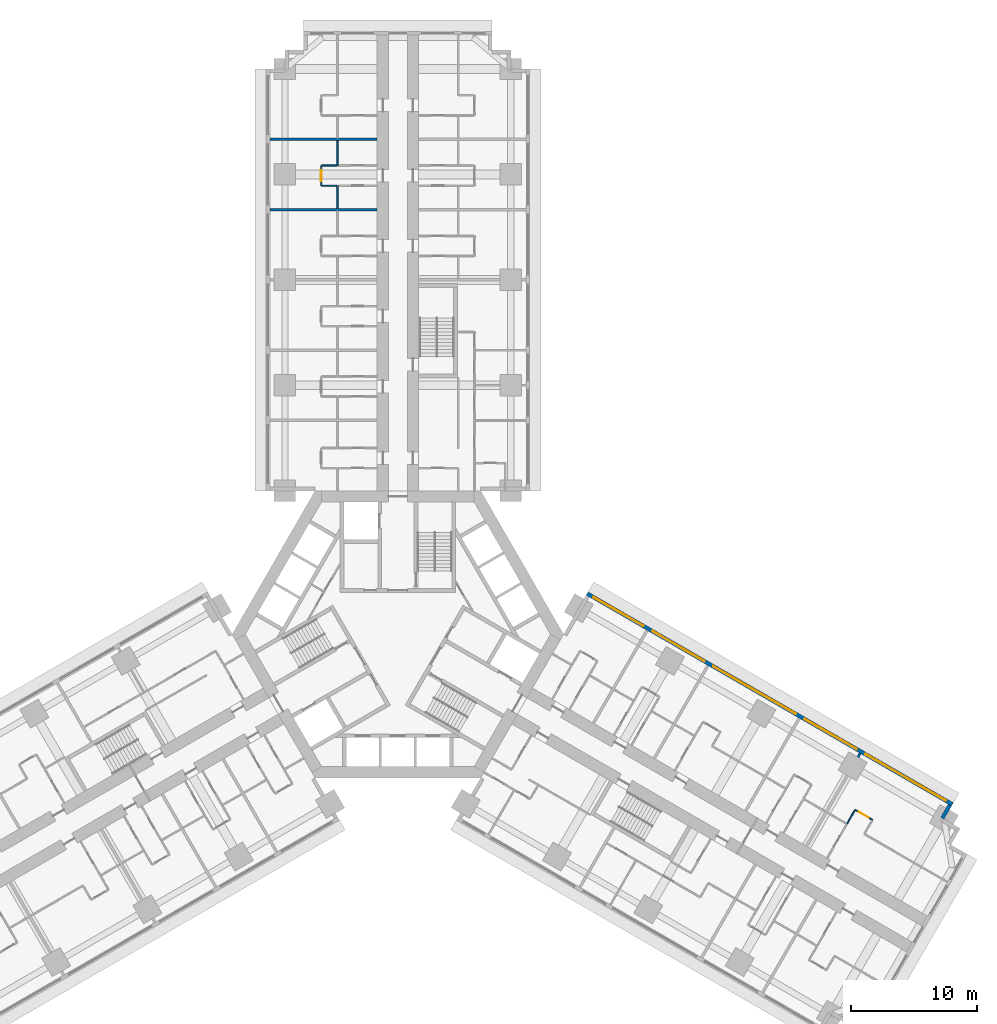
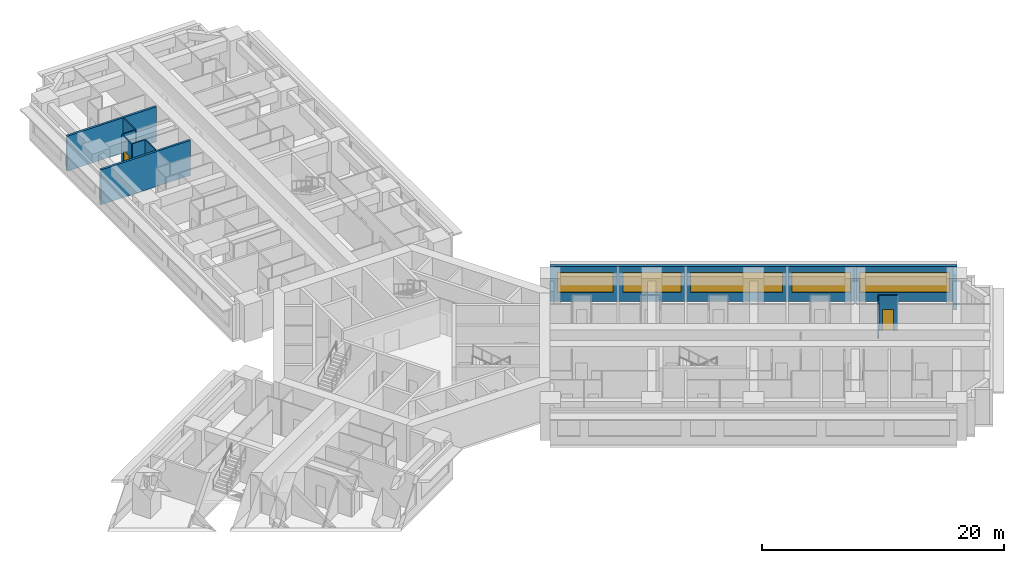
# One storey, part 14 of 17: 12 walls, 5 windows, 2 doors, 7 openings.
"""IFC4 building model written with IfcOpenShell, lengths in metres."""

from ifc_helpers import new_model, si_unit, direction, frame, frame_2d, origin, place, context, subcontext, project, spatial, rectangle, extrude, material, layer, layer_set, type_object, element, fill, save


model = new_model("IFC4")

# Units and contexts
model_context = context("Model", 3, precision=1e-05, world=origin(), true_north=direction((0.0, 1.0)))
body_context = subcontext(model_context, "Body", "Model", "MODEL_VIEW")
ifc_project = project(units=[si_unit("LENGTHUNIT", "METRE"), si_unit("AREAUNIT", "SQUARE_METRE"), si_unit("VOLUMEUNIT", "CUBIC_METRE"), si_unit("PLANEANGLEUNIT", "RADIAN"), si_unit("MASSUNIT", "GRAM", prefix="KILO")], contexts=[model_context])

# Site, building, storey
site_placement = place(None, origin())
site = spatial("IfcSite", under=ifc_project, at=site_placement, CompositionType="ELEMENT")
building_placement = place(site_placement, origin())
building = spatial("IfcBuilding", under=site, at=building_placement, Name="Impinga Residences", CompositionType="ELEMENT")
storey_placement = place(building_placement, frame((0.0, 0.0, 33.5)))
storey = spatial("IfcBuildingStorey", under=building, at=storey_placement, Name="L07", CompositionType="ELEMENT", Elevation=33.5)

# Wall, openings, windows
ifc_material_1 = material(Name="Terracotta rainscreen on blockwork", Category="masonry")
ifc_layer_1 = layer(ifc_material_1, 0.300048828125)
ifc_layer_set_1 = layer_set([ifc_layer_1], Name="EW1 external wall, terracotta rainscreen on blockwork 300")
wall_type_1 = type_object("IfcWallType", Name="EW1 external wall, terracotta rainscreen on blockwork 300", PredefinedType="SOLIDWALL", material=ifc_layer_set_1)
wall_1_placement = place(storey_placement, frame((15.074951171875, 3.24755859375, 0.0), z_axis=(0.0, 0.0, 1.0), x_axis=(0.866024291668, -0.500001926238, 0.0)))
wall_1 = element("IfcWall", 1, at=wall_1_placement, inside=storey, type_object=wall_type_1, Name="External wall EW1 L07", PredefinedType="SOLIDWALL", context=body_context, shape_type="SweptSolid", body=[
    extrude(rectangle(XDim=33.599853515625, YDim=0.300048828125, at=frame_2d((16.7998046875, 0.0))), origin(), (0.0, 0.0, 1.0), 3.530029296875),
])
opening_1_placement = place(wall_1_placement, frame((0.60009765625, 0.0, 0.89990234375)))
opening_1 = element("IfcOpeningElement", 2, at=opening_1_placement, cuts=wall_1, Name="Opening W3", PredefinedType="OPENING", context=body_context, shape_type="SweptSolid", body=[
    extrude(rectangle(XDim=4.60009765625, YDim=2.050048828125, at=frame_2d((2.300048828125, 1.02490234375))), frame((0.0, 0.159912109375, 0.0), z_axis=(0.0, -1.0, 0.0), x_axis=(1.0, 0.0, 0.0)), (0.0, 0.0, 1.0), 0.320068359375),
])
opening_2_placement = place(wall_1_placement, frame((6.0, 0.0, 0.89990234375)))
opening_2 = element("IfcOpeningElement", 3, at=opening_2_placement, cuts=wall_1, Name="Opening W8", PredefinedType="OPENING", context=body_context, shape_type="SweptSolid", body=[
    extrude(rectangle(XDim=4.800048828125, YDim=2.050048828125, at=frame_2d((2.39990234375, 1.02490234375))), frame((0.0, 0.159912109375, 0.0), z_axis=(0.0, -1.0, 0.0), x_axis=(1.0, 0.0, 0.0)), (0.0, 0.0, 1.0), 0.320068359375),
])
opening_3_placement = place(wall_1_placement, frame((11.60009765625, 0.0, 0.89990234375)))
opening_3 = element("IfcOpeningElement", 4, at=opening_3_placement, cuts=wall_1, Name="Opening W5", PredefinedType="OPENING", context=body_context, shape_type="SweptSolid", body=[
    extrude(rectangle(XDim=7.60009765625, YDim=2.050048828125, at=frame_2d((3.800048828125, 1.02490234375))), frame((0.0, 0.159912109375, 0.0), z_axis=(0.0, -1.0, 0.0), x_axis=(1.0, 0.0, 0.0)), (0.0, 0.0, 1.0), 0.320068359375),
])
opening_4_placement = place(wall_1_placement, frame((20.0, 0.0, 0.89990234375)))
opening_4 = element("IfcOpeningElement", 5, at=opening_4_placement, cuts=wall_1, Name="Opening W8", PredefinedType="OPENING", context=body_context, shape_type="SweptSolid", body=[
    extrude(rectangle(XDim=4.800048828125, YDim=2.050048828125, at=frame_2d((2.39990234375, 1.02490234375))), frame((0.0, 0.159912109375, 0.0), z_axis=(0.0, -1.0, 0.0), x_axis=(1.0, 0.0, 0.0)), (0.0, 0.0, 1.0), 0.320068359375),
])
opening_5_placement = place(wall_1_placement, frame((25.60009765625, 0.0, 0.89990234375)))
opening_5 = element("IfcOpeningElement", 6, at=opening_5_placement, cuts=wall_1, Name="Opening W12", PredefinedType="OPENING", context=body_context, shape_type="SweptSolid", body=[
    extrude(rectangle(XDim=7.39990234375, YDim=2.050048828125, at=frame_2d((3.699951171875, 1.02490234375))), frame((0.0, 0.159912109375, 0.0), z_axis=(0.0, -1.0, 0.0), x_axis=(1.0, 0.0, 0.0)), (0.0, 0.0, 1.0), 0.320068359375),
])
ifc_material_2 = material(Name="Aluminium window, clear double glazing", Category="aluminium")
window_type_1 = type_object("IfcWindowType", Name="W12 ribbon window 7400x2050", PartitioningType="SINGLE_PANEL", PredefinedType="WINDOW", material=ifc_material_2)
window_1_placement = place(opening_5_placement, origin())
window_1 = element("IfcWindow", 7, at=window_1_placement, inside=storey, type_object=window_type_1, Name="Window L07", OverallHeight=2.050048828125, OverallWidth=7.39990234375, PartitioningType="SINGLE_PANEL", PredefinedType="WINDOW", context=body_context, shape_type="SweptSolid", body=[
    extrude(rectangle(XDim=7.39990234375, YDim=2.050048828125, at=frame_2d((3.699951171875, 1.02490234375))), frame((0.0, 0.030029296875, 0.0), z_axis=(0.0, -1.0, 0.0), x_axis=(1.0, 0.0, 0.0)), (0.0, 0.0, 1.0), 0.06005859375),
])
fill(opening_5, window_1)
window_type_2 = type_object("IfcWindowType", Name="W3 ribbon window 4600x2050", PartitioningType="SINGLE_PANEL", PredefinedType="WINDOW", material=ifc_material_2)
window_2_placement = place(opening_1_placement, origin())
window_2 = element("IfcWindow", 8, at=window_2_placement, inside=storey, type_object=window_type_2, Name="Window L07", OverallHeight=2.050048828125, OverallWidth=4.60009765625, PartitioningType="SINGLE_PANEL", PredefinedType="WINDOW", context=body_context, shape_type="SweptSolid", body=[
    extrude(rectangle(XDim=4.60009765625, YDim=2.050048828125, at=frame_2d((2.300048828125, 1.02490234375))), frame((0.0, 0.030029296875, 0.0), z_axis=(0.0, -1.0, 0.0), x_axis=(1.0, 0.0, 0.0)), (0.0, 0.0, 1.0), 0.06005859375),
])
fill(opening_1, window_2)
window_type_3 = type_object("IfcWindowType", Name="W5 ribbon window 7600x2050", PartitioningType="SINGLE_PANEL", PredefinedType="WINDOW", material=ifc_material_2)
window_3_placement = place(opening_3_placement, origin())
window_3 = element("IfcWindow", 9, at=window_3_placement, inside=storey, type_object=window_type_3, Name="Window L07", OverallHeight=2.050048828125, OverallWidth=7.60009765625, PartitioningType="SINGLE_PANEL", PredefinedType="WINDOW", context=body_context, shape_type="SweptSolid", body=[
    extrude(rectangle(XDim=7.60009765625, YDim=2.050048828125, at=frame_2d((3.800048828125, 1.02490234375))), frame((0.0, 0.030029296875, 0.0), z_axis=(0.0, -1.0, 0.0), x_axis=(1.0, 0.0, 0.0)), (0.0, 0.0, 1.0), 0.06005859375),
])
fill(opening_3, window_3)
window_type_4 = type_object("IfcWindowType", Name="W8 ribbon window 4800x2050", PartitioningType="SINGLE_PANEL", PredefinedType="WINDOW", material=ifc_material_2)
window_4_placement = place(opening_2_placement, origin())
window_4 = element("IfcWindow", 10, at=window_4_placement, inside=storey, type_object=window_type_4, Name="Window L07", OverallHeight=2.050048828125, OverallWidth=4.800048828125, PartitioningType="SINGLE_PANEL", PredefinedType="WINDOW", context=body_context, shape_type="SweptSolid", body=[
    extrude(rectangle(XDim=4.800048828125, YDim=2.050048828125, at=frame_2d((2.39990234375, 1.02490234375))), frame((0.0, 0.030029296875, 0.0), z_axis=(0.0, -1.0, 0.0), x_axis=(1.0, 0.0, 0.0)), (0.0, 0.0, 1.0), 0.06005859375),
])
fill(opening_2, window_4)
window_5_placement = place(opening_4_placement, origin())
window_5 = element("IfcWindow", 11, at=window_5_placement, inside=storey, type_object=window_type_4, Name="Window L07", OverallHeight=2.050048828125, OverallWidth=4.800048828125, PartitioningType="SINGLE_PANEL", PredefinedType="WINDOW", context=body_context, shape_type="SweptSolid", body=[
    extrude(rectangle(XDim=4.800048828125, YDim=2.050048828125, at=frame_2d((2.39990234375, 1.02490234375))), frame((0.0, 0.030029296875, 0.0), z_axis=(0.0, -1.0, 0.0), x_axis=(1.0, 0.0, 0.0)), (0.0, 0.0, 1.0), 0.06005859375),
])
fill(opening_4, window_5)

# Walls
wall_2_placement = place(storey_placement, frame((43.968505859375, -13.607421875, 0.0), z_axis=(0.0, 0.0, 1.0), x_axis=(-0.500029051137, -0.866008630453, 0.0)))
element("IfcWall", 12, at=wall_2_placement, inside=storey, type_object=wall_type_1, Name="External wall EW1 L07", PredefinedType="SOLIDWALL", context=body_context, shape_type="SweptSolid", body=[
    extrude(rectangle(XDim=1.19482421875, YDim=0.300048828125, at=frame_2d((0.597412109375, 0.0))), origin(), (0.0, 0.0, 1.0), 3.530029296875),
])
ifc_material_3 = material(Name="Gypsum board on steel studs", Category="steel")
ifc_layer_2 = layer(ifc_material_3, 0.10009765625)
ifc_layer_set_2 = layer_set([ifc_layer_2], Name="Gypsum board on steel studs")
wall_type_2 = type_object("IfcWallType", Name="IP1 partition 100", PredefinedType="PARTITIONING", material=ifc_layer_set_2)
wall_3_placement = place(storey_placement, frame((-4.800048828125, 33.931640625, 0.0), z_axis=(0.0, 0.0, 1.0), x_axis=(0.0, 1.0, 0.0)))
element("IfcWall", 13, at=wall_3_placement, inside=storey, type_object=wall_type_2, Name="Partition L07-NA5:DIV0", PredefinedType="PARTITIONING", context=body_context, shape_type="SweptSolid", body=[
    extrude(rectangle(XDim=1.7998046875, YDim=0.10009765625, at=frame_2d((0.89990234375, 0.0))), origin(), (0.0, 0.0, 1.0), 3.530029296875),
])
wall_4_placement = place(storey_placement, frame((-4.800048828125, 37.33154296875, 0.0), z_axis=(0.0, 0.0, 1.0), x_axis=(0.0, 1.0, 0.0)))
element("IfcWall", 14, at=wall_4_placement, inside=storey, type_object=wall_type_2, Name="Partition L07-NA5:DIV1", PredefinedType="PARTITIONING", context=body_context, shape_type="SweptSolid", body=[
    extrude(rectangle(XDim=2.0, YDim=0.10009765625, at=frame_2d((1.0, 0.0))), origin(), (0.0, 0.0, 1.0), 3.530029296875),
])

# Wall, opening, door
wall_5_placement = place(storey_placement, frame((-6.10009765625, 35.7314453125, 0.0), z_axis=(0.0, 0.0, 1.0), x_axis=(0.0, 1.0, 0.0)))
wall_5 = element("IfcWall", 15, at=wall_5_placement, inside=storey, type_object=wall_type_2, Name="Partition L07-NA5:STRIP", PredefinedType="PARTITIONING", context=body_context, shape_type="SweptSolid", body=[
    extrude(rectangle(XDim=1.60009765625, YDim=0.10009765625, at=frame_2d((0.800048828125, 0.0))), origin(), (0.0, 0.0, 1.0), 3.530029296875),
])
opening_6_placement = place(wall_5_placement, frame((0.35009765625, 0.0, 0.0)))
opening_6 = element("IfcOpeningElement", 16, at=opening_6_placement, cuts=wall_5, Name="Opening D2", PredefinedType="OPENING", context=body_context, shape_type="SweptSolid", body=[
    extrude(rectangle(XDim=0.89990234375, YDim=2.10009765625, at=frame_2d((0.449951171875, 1.050048828125))), frame((0.0, 0.06005859375, 0.0), z_axis=(0.0, -1.0, 0.0), x_axis=(1.0, 0.0, 0.0)), (0.0, 0.0, 1.0), 0.1201171875),
])
ifc_material_4 = material(Name="Timber door set", Category="wood")
door_type = type_object("IfcDoorType", Name="D2 internal door 900x2100", OperationType="SINGLE_SWING_LEFT", PredefinedType="DOOR", material=ifc_material_4)
door_1_placement = place(opening_6_placement, origin())
door_1 = element("IfcDoor", 17, at=door_1_placement, inside=storey, type_object=door_type, Name="Apartment L07-NA5 room door", OperationType="SINGLE_SWING_LEFT", OverallHeight=2.10009765625, OverallWidth=0.89990234375, PredefinedType="DOOR", context=body_context, shape_type="SweptSolid", body=[
    extrude(rectangle(XDim=0.89990234375, YDim=2.10009765625, at=frame_2d((0.449951171875, 1.050048828125))), frame((0.0, 0.02490234375, 0.0), z_axis=(0.0, -1.0, 0.0), x_axis=(1.0, 0.0, 0.0)), (0.0, 0.0, 1.0), 0.050048828125),
])
fill(opening_6, door_1)

# Walls
for number, where, z_axis, x_axis, name in (
    (18, (-4.85009765625, 35.7314453125, 0.0), (0.0, 0.0, 1.0), (-1.0, 0.0, 0.0), "Partition L07-NA5:SE0"),
    (19, (-4.85009765625, 37.33154296875, 0.0), (0.0, 0.0, 1.0), (-1.0, 0.0, 0.0), "Partition L07-NA5:SE1"),
):
    element("IfcWall", number, at=place(storey_placement, frame(where, z_axis=z_axis, x_axis=x_axis)), inside=storey, type_object=wall_type_2, Name=name, PredefinedType="PARTITIONING", context=body_context, shape_type="SweptSolid", body=[
        extrude(rectangle(XDim=1.199951171875, YDim=0.10009765625, at=frame_2d((0.60009765625, 0.0))), origin(), (0.0, 0.0, 1.0), 3.530029296875),
    ])

# Wall, opening, door
wall_6_placement = place(storey_placement, frame((36.419189453125, -13.98291015625, 0.0), z_axis=(0.0, 0.0, 1.0), x_axis=(0.866028054938, -0.499995408039, 0.0)))
wall_6 = element("IfcWall", 20, at=wall_6_placement, inside=storey, type_object=wall_type_2, Name="Partition L07-EA5:STRIP", PredefinedType="PARTITIONING", context=body_context, shape_type="SweptSolid", body=[
    extrude(rectangle(XDim=1.60009765625, YDim=0.10009765625, at=frame_2d((0.800048828125, 0.0))), origin(), (0.0, 0.0, 1.0), 3.530029296875),
])
opening_7_placement = place(wall_6_placement, frame((0.35009765625, 0.0, 0.0)))
opening_7 = element("IfcOpeningElement", 21, at=opening_7_placement, cuts=wall_6, Name="Opening D2", PredefinedType="OPENING", context=body_context, shape_type="SweptSolid", body=[
    extrude(rectangle(XDim=0.89990234375, YDim=2.10009765625, at=frame_2d((0.449951171875, 1.050048828125))), frame((0.0, 0.06005859375, 0.0), z_axis=(0.0, -1.0, 0.0), x_axis=(1.0, 0.0, 0.0)), (0.0, 0.0, 1.0), 0.1201171875),
])
door_2_placement = place(opening_7_placement, origin())
door_2 = element("IfcDoor", 22, at=door_2_placement, inside=storey, type_object=door_type, Name="Apartment L07-EA5 room door", OperationType="SINGLE_SWING_LEFT", OverallHeight=2.10009765625, OverallWidth=0.89990234375, PredefinedType="DOOR", context=body_context, shape_type="SweptSolid", body=[
    extrude(rectangle(XDim=0.89990234375, YDim=2.10009765625, at=frame_2d((0.449951171875, 1.050048828125))), frame((0.0, 0.02490234375, 0.0), z_axis=(0.0, -1.0, 0.0), x_axis=(1.0, 0.0, 0.0)), (0.0, 0.0, 1.0), 0.050048828125),
])
fill(opening_7, door_2)

# Walls
wall_7_placement = place(storey_placement, frame((35.794189453125, -15.0654296875, 0.0), z_axis=(0.0, 0.0, 1.0), x_axis=(0.50012165622, 0.865955154139, 0.0)))
element("IfcWall", 23, at=wall_7_placement, inside=storey, type_object=wall_type_2, Name="Partition L07-EA5:SE0", PredefinedType="PARTITIONING", context=body_context, shape_type="SweptSolid", body=[
    extrude(rectangle(XDim=1.199951171875, YDim=0.10009765625, at=frame_2d((0.60009765625, 0.0))), origin(), (0.0, 0.0, 1.0), 3.530029296875),
])
ifc_material_5 = material(Name="Concrete blockwork", Category="masonry")
ifc_layer_3 = layer(ifc_material_5, 0.199951171875)
ifc_layer_set_3 = layer_set([ifc_layer_3], Name="PW1 party wall between apartments 200")
wall_type_3 = type_object("IfcWallType", Name="PW1 party wall between apartments 200", PredefinedType="SOLIDWALL", material=ifc_layer_set_3)
for number, where, z_axis, x_axis, name in (
    (24, (-1.64990234375, 33.83154296875, 0.0), (0.0, 0.0, 1.0), (-1.0, 0.0, 0.0), "Party wall between apartments L07-NA4:PARTY"),
    (25, (-1.64990234375, 39.431640625, 0.0), (0.0, 0.0, 1.0), (-1.0, 0.0, 0.0), "Party wall between apartments L07-NA5:PARTY"),
):
    element("IfcWall", number, at=place(storey_placement, frame(where, z_axis=z_axis, x_axis=x_axis)), inside=storey, type_object=wall_type_3, Name=name, PredefinedType="SOLIDWALL", context=body_context, shape_type="SweptSolid", body=[
        extrude(rectangle(XDim=8.550048828125, YDim=0.199951171875, at=frame_2d((4.27490234375, 0.0))), origin(), (0.0, 0.0, 1.0), 3.530029296875),
    ])
wall_8_placement = place(storey_placement, frame((36.64892578125, -9.785400390625, 0.0), z_axis=(0.0, 0.0, 1.0), x_axis=(0.499742594395, 0.866173965983, 0.0)))
element("IfcWall", 26, at=wall_8_placement, inside=storey, type_object=wall_type_3, Name="Party wall between apartments L07-EA4:PARTYb", PredefinedType="SOLIDWALL", context=body_context, shape_type="SweptSolid", body=[
    extrude(rectangle(XDim=0.349853515625, YDim=0.199951171875, at=frame_2d((0.1748046875, 0.0))), origin(), (0.0, 0.0, 1.0), 3.530029296875),
])

save(model, "model.ifc")
